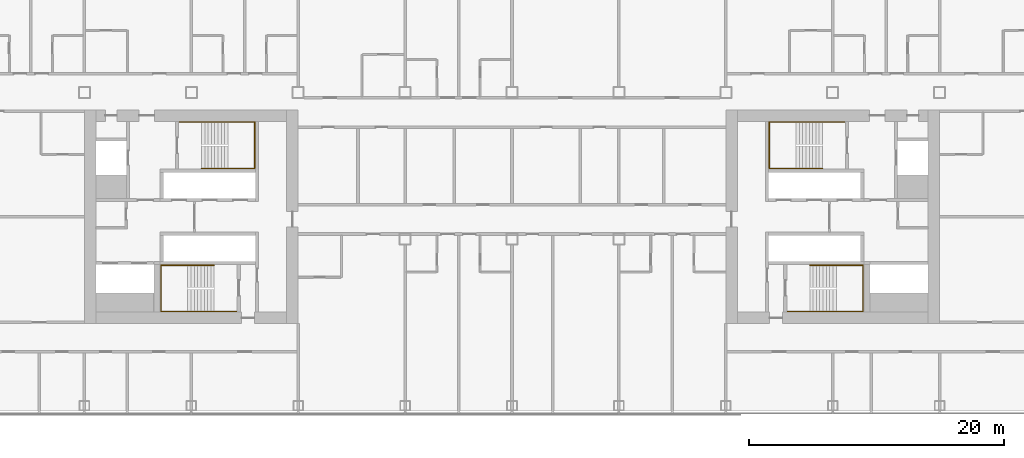
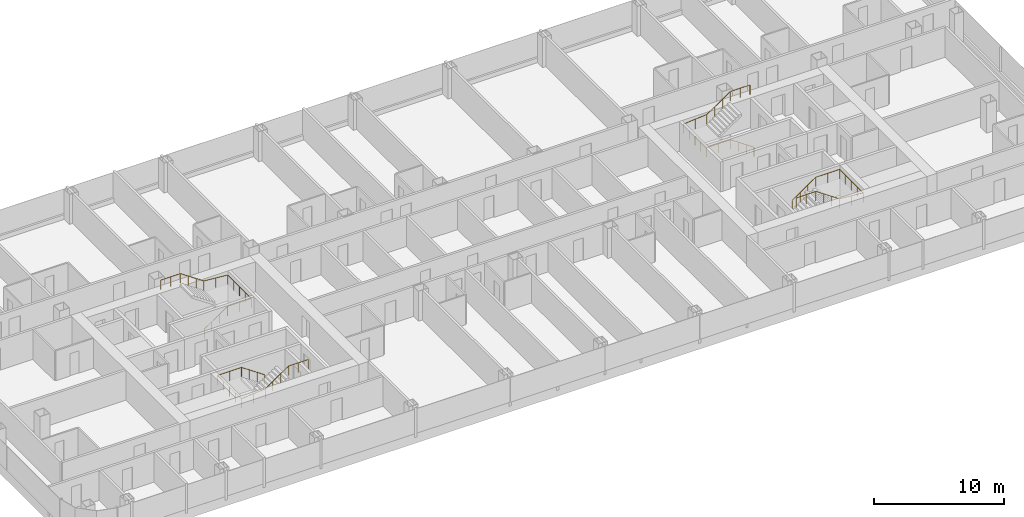
# One storey, part 29 of 29: 4 railings.
"""IFC4 building model written with IfcOpenShell, lengths in metres."""

import ifcopenshell
import ifcopenshell.guid

model = None  # the IFC model being written
_history = None  # IfcOwnerHistory: only IFC2X3 demands one
_inside = {}  # id of a spatial element -> (the spatial element, [elements in it])
_under = {}  # id of a project, library or spatial element -> (it, [spatial elements below it])
_declared = {}  # id of a project -> (the project, [libraries it declares])
_typed = {}  # id of a type object -> (the type object, [elements of that type])
_made_of = {}  # id of a material, layer set ... -> (it, [elements and type objects made of it])


def new_model(schema):
    """Start an empty IFC model of exactly this schema.

    Asked for "IFC4X3", IfcOpenShell would pick the latest addendum, in which some entities
    have other attributes; the version numbers below select the first issue.
    IFC2X3 requires an IfcOwnerHistory on every rooted entity: one is made here for all.
    """
    global model, _history
    if schema == "IFC4X3":
        model = ifcopenshell.file(schema_version=(4, 3, 0, 0))
    else:
        model = ifcopenshell.file(schema=schema)
    _inside.clear()
    _under.clear()
    _declared.clear()
    _typed.clear()
    _made_of.clear()
    _history = None
    if model.schema == "IFC2X3":
        org = make("IfcOrganization", Name="unknown")
        user = make(
            "IfcPersonAndOrganization",
            ThePerson=make("IfcPerson", FamilyName="unknown"),
            TheOrganization=org,
        )
        app = make(
            "IfcApplication",
            ApplicationDeveloper=org,
            Version="unknown",
            ApplicationFullName="unknown",
            ApplicationIdentifier="unknown",
        )
        _history = make(
            "IfcOwnerHistory",
            OwningUser=user,
            OwningApplication=app,
            ChangeAction="ADDED",
            CreationDate=0,
        )
    return model


def make(cls, **values):
    """One entity of the class cls with the attributes given. An attribute that is None is left unset."""
    return model.create_entity(
        cls, **{name: value for name, value in values.items() if value is not None}
    )


def rooted(cls, **values):
    """An entity with a GlobalId (a new one), such as an element, a storey or a relation."""
    return make(cls, GlobalId=ifcopenshell.guid.new(), OwnerHistory=_history, **values)


def si_unit(unit_type, name, prefix=None):
    """IfcSIUnit, for example si_unit("LENGTHUNIT", "METRE", prefix="MILLI")."""
    return make("IfcSIUnit", UnitType=unit_type, Prefix=prefix, Name=name)


def assignment(units):
    """IfcUnitAssignment: the units of a project."""
    return None if units is None else make("IfcUnitAssignment", Units=units)


def point(xyz):
    """IfcCartesianPoint."""
    return None if xyz is None else make("IfcCartesianPoint", Coordinates=xyz)


def direction(xyz):
    """IfcDirection."""
    return None if xyz is None else make("IfcDirection", DirectionRatios=xyz)


def frame(location, z_axis=None, x_axis=None):
    """IfcAxis2Placement3D, a coordinate frame: its origin and axes. An axis left out is left unset."""
    return make(
        "IfcAxis2Placement3D",
        Location=point(location),
        Axis=direction(z_axis),
        RefDirection=direction(x_axis),
    )


def frame_2d(location, x_axis=None):
    """IfcAxis2Placement2D, a coordinate frame in the plane: its origin and x axis."""
    return make(
        "IfcAxis2Placement2D", Location=point(location), RefDirection=direction(x_axis)
    )


def origin():
    """The frame at (0, 0, 0) with its axes left unset."""
    return frame((0.0, 0.0, 0.0))


def origin_2d():
    """The frame at (0, 0) in the plane with its x axis left unset."""
    return frame_2d((0.0, 0.0))


def place(relative_to, where):
    """IfcLocalPlacement: puts the frame where relative to a parent placement (None: the world)."""
    return make(
        "IfcLocalPlacement", PlacementRelTo=relative_to, RelativePlacement=where
    )


def context(
    kind, dimensions, precision=None, world=None, true_north=None, identifier=None
):
    """IfcGeometricRepresentationContext, for example the 3D "Model" context."""
    return make(
        "IfcGeometricRepresentationContext",
        ContextIdentifier=identifier,
        ContextType=kind,
        CoordinateSpaceDimension=dimensions,
        Precision=precision,
        WorldCoordinateSystem=world,
        TrueNorth=true_north,
    )


def subcontext(parent, identifier, kind, view, scale=None):
    """IfcGeometricRepresentationSubContext, for example "Body" below "Model"."""
    return make(
        "IfcGeometricRepresentationSubContext",
        ContextIdentifier=identifier,
        ContextType=kind,
        ParentContext=parent,
        TargetScale=scale,
        TargetView=view,
    )


def project(units=None, contexts=None):
    """IfcProject with its units and contexts."""
    return rooted(
        "IfcProject",
        Name="project",
        RepresentationContexts=contexts,
        UnitsInContext=assignment(units),
    )


def spatial(cls, under=None, at=None, **own):
    """A site, building, storey or space (cls), placed at a placement, below another one or the project."""
    s = rooted(cls, ObjectPlacement=at, **own)
    if under is not None:
        _under.setdefault(under.id(), (under, []))[1].append(s)
    return s


def profile(cls, at=None, kind="AREA", **sizes):
    """A parametric profile (cls). Its sizes go by their IFC names, for example OverallWidth=200.0."""
    return make(cls, ProfileType=kind, Position=at, **sizes)


def circle(**sizes):
    """IfcCircleProfileDef."""
    return profile("IfcCircleProfileDef", **sizes)


def extrude(swept, where, along, depth):
    """IfcExtrudedAreaSolid: the profile swept, set in the frame where, extruded along a direction by depth."""
    return make(
        "IfcExtrudedAreaSolid",
        SweptArea=swept,
        Position=where,
        ExtrudedDirection=direction(along),
        Depth=depth,
    )


def shape(context_of_items, identifier, shape_type, items):
    """IfcShapeRepresentation: the items that make up one representation, for example the "Body"."""
    return make(
        "IfcShapeRepresentation",
        ContextOfItems=context_of_items,
        RepresentationIdentifier=identifier,
        RepresentationType=shape_type,
        Items=items,
    )


def material(Name=None, Category=None):
    """IfcMaterial."""
    return make("IfcMaterial", Name=Name, Category=Category)


def made_of(thing, what):
    """Note that an element or type object is made of a material, layer set ...; save() writes the relation."""
    if what is not None:
        _made_of.setdefault(what.id(), (what, []))[1].append(thing)
    return thing


def type_object(cls, material=None, **own):
    """A type object (cls), such as IfcWallType, which elements share."""
    return made_of(rooted(cls, **own), material)


def element(
    cls,
    number,
    at=None,
    inside=None,
    cuts=None,
    type_object=None,
    material=None,
    context=None,
    identifier="Body",
    shape_type=None,
    held_by="IfcProductDefinitionShape",
    body=None,
    shapes=None,
    **own,
):
    """One element of the class cls, such as IfcWall. Its Tag is "e" and its number.

    at: its placement. inside: the storey or other place that contains it. cuts: it is an
    opening in that element (IfcRelVoidsElement). A single representation is given by context,
    identifier, shape_type and body (its items); several are given by shapes. held_by: the class
    of the entity that holds the representations. save() writes the other relations.
    """
    e = rooted(cls, Tag="e%d" % number, ObjectPlacement=at, **own)
    if body is not None:
        shapes = [shape(context, identifier, shape_type, body)]
    if shapes is not None:
        e.Representation = make(held_by, Representations=shapes)
    if inside is not None:
        _inside.setdefault(inside.id(), (inside, []))[1].append(e)
    if cuts is not None:
        rooted(
            "IfcRelVoidsElement", RelatingBuildingElement=cuts, RelatedOpeningElement=e
        )
    if type_object is not None:
        _typed.setdefault(type_object.id(), (type_object, []))[1].append(e)
    return made_of(e, material)


def aggregate(whole, parts):
    """IfcRelAggregates: a whole, such as a stair, and the parts it consists of."""
    return rooted("IfcRelAggregates", RelatingObject=whole, RelatedObjects=parts)


def save(model, path):
    """Write the relations noted so far, then the file.

    IfcRelAggregates (storeys below a building ...), IfcRelContainedInSpatialStructure (elements
    in a storey), IfcRelDefinesByType, IfcRelAssociatesMaterial and IfcRelDeclares: one each for
    every whole, place, type object, material and project.
    """
    for whole, parts in _under.values():
        aggregate(whole, parts)
    for where, things in _inside.values():
        rooted(
            "IfcRelContainedInSpatialStructure",
            RelatedElements=things,
            RelatingStructure=where,
        )
    for kind, things in _typed.values():
        rooted("IfcRelDefinesByType", RelatedObjects=things, RelatingType=kind)
    for what, things in _made_of.values():
        rooted("IfcRelAssociatesMaterial", RelatedObjects=things, RelatingMaterial=what)
    for by, libraries in _declared.values():
        rooted("IfcRelDeclares", RelatingContext=by, RelatedDefinitions=libraries)
    model.write(path)


model = new_model("IFC4")

# Units and contexts
model_context = context("Model", 3, precision=1e-05, world=origin(), true_north=direction((0.0, 1.0)))
body_context = subcontext(model_context, "Body", "Model", "MODEL_VIEW")
ifc_project = project(units=[si_unit("LENGTHUNIT", "METRE"), si_unit("AREAUNIT", "SQUARE_METRE"), si_unit("VOLUMEUNIT", "CUBIC_METRE"), si_unit("PLANEANGLEUNIT", "RADIAN"), si_unit("MASSUNIT", "GRAM", prefix="KILO")], contexts=[model_context])

# Site, building, storey
site_placement = place(None, origin())
site = spatial("IfcSite", under=ifc_project, at=site_placement, CompositionType="ELEMENT")
building_placement = place(site_placement, origin())
building = spatial("IfcBuilding", under=site, at=building_placement, Name="Hakoniwa Tower and Hamabe Station Hall", CompositionType="ELEMENT")
storey_placement = place(building_placement, frame((0.0, 0.0, 113.800048828125)))
storey = spatial("IfcBuildingStorey", under=building, at=storey_placement, Name="L32", CompositionType="ELEMENT", Elevation=113.800048828125)

# Railings
ifc_material = material(Name="Stainless steel SUS304", Category="steel")
railing_type = type_object("IfcRailingType", Name="STAIR HANDRAIL 900", PredefinedType="HANDRAIL", material=ifc_material)
railing_1_placement = place(storey_placement, frame((-24.39990234375, 3.81005859375, 0.177734375)))
element("IfcRailing", 1, at=railing_1_placement, inside=storey, type_object=railing_type, Name="Handrail ST-1 L32 1", PredefinedType="HANDRAIL", context=body_context, shape_type="SweptSolid", body=[
    extrude(circle(Radius=0.02392578125, at=origin_2d()), frame((0.0, 0.0, 0.8759765625), z_axis=(0.825478349766, 0.0, 0.564433781827), x_axis=(0.0, 1.0, 0.0)), (0.0, 0.0, 1.0), 2.51953125),
    extrude(circle(Radius=0.02392578125, at=origin_2d()), frame((2.079833984375, 0.0, 2.2978515625), z_axis=(1.0, 0.0, 0.0), x_axis=(0.0, 1.0, 0.0)), (0.0, 0.0, 1.0), 2.110107421875),
    extrude(circle(Radius=0.02392578125, at=origin_2d()), frame((4.18994140625, 0.0, 2.2978515625), z_axis=(0.0, 1.0, 0.0), x_axis=(-1.0, 0.0, 0.0)), (0.0, 0.0, 1.0), 3.6298828125),
    extrude(circle(Radius=0.02392578125, at=origin_2d()), frame((4.18994140625, 3.6298828125, 2.2978515625), z_axis=(-0.996461767938, 0.0, 0.084047278587), x_axis=(0.0, -1.0, 0.0)), (0.0, 0.0, 1.0), 2.11767578125),
    extrude(circle(Radius=0.02392578125, at=origin_2d()), frame((2.079833984375, 3.6298828125, 2.47607421875), z_axis=(-0.825478349766, 0.0, 0.564433781827), x_axis=(0.0, -1.0, 0.0)), (0.0, 0.0, 1.0), 2.51953125),
    extrude(circle(Radius=0.02392578125, at=origin_2d()), frame((0.0, 3.6298828125, 3.89794921875), z_axis=(-1.0, 0.0, 0.0), x_axis=(0.0, -1.0, 0.0)), (0.0, 0.0, 1.0), 1.739990234375),
    extrude(circle(Radius=0.02099609375, at=origin_2d()), origin(), (0.0, 0.0, 1.0), 0.851806640625),
    extrude(circle(Radius=0.02099609375, at=origin_2d()), frame((0.693359375, 0.0, 0.47412109375)), (0.0, 0.0, 1.0), 0.851806640625),
    extrude(circle(Radius=0.02099609375, at=origin_2d()), frame((1.386474609375, 0.0, 0.947998046875)), (0.0, 0.0, 1.0), 0.851806640625),
    extrude(circle(Radius=0.02099609375, at=origin_2d()), frame((2.079833984375, 0.0, 1.422119140625)), (0.0, 0.0, 1.0), 0.851806640625),
    extrude(circle(Radius=0.02099609375, at=origin_2d()), frame((3.134765625, 0.0, 1.422119140625)), (0.0, 0.0, 1.0), 0.851806640625),
    extrude(circle(Radius=0.02099609375, at=origin_2d()), frame((4.18994140625, 0.0, 1.422119140625)), (0.0, 0.0, 1.0), 0.851806640625),
    extrude(circle(Radius=0.02099609375, at=origin_2d()), frame((4.18994140625, 0.907470703125, 1.422119140625)), (0.0, 0.0, 1.0), 0.851806640625),
    extrude(circle(Radius=0.02099609375, at=origin_2d()), frame((4.18994140625, 1.81494140625, 1.422119140625)), (0.0, 0.0, 1.0), 0.851806640625),
    extrude(circle(Radius=0.02099609375, at=origin_2d()), frame((4.18994140625, 2.722412109375, 1.422119140625)), (0.0, 0.0, 1.0), 0.851806640625),
    extrude(circle(Radius=0.02099609375, at=origin_2d()), frame((4.18994140625, 3.6298828125, 1.422119140625)), (0.0, 0.0, 1.0), 0.851806640625),
    extrude(circle(Radius=0.02099609375, at=origin_2d()), frame((3.134765625, 3.6298828125, 1.51123046875)), (0.0, 0.0, 1.0), 0.851806640625),
    extrude(circle(Radius=0.02099609375, at=origin_2d()), frame((2.079833984375, 3.6298828125, 1.60009765625)), (0.0, 0.0, 1.0), 0.851806640625),
    extrude(circle(Radius=0.02099609375, at=origin_2d()), frame((1.386474609375, 3.6298828125, 2.07421875)), (0.0, 0.0, 1.0), 0.851806640625),
    extrude(circle(Radius=0.02099609375, at=origin_2d()), frame((0.693359375, 3.6298828125, 2.548095703125)), (0.0, 0.0, 1.0), 0.851806640625),
    extrude(circle(Radius=0.02099609375, at=origin_2d()), frame((0.0, 3.6298828125, 3.022216796875)), (0.0, 0.0, 1.0), 0.851806640625),
    extrude(circle(Radius=0.02099609375, at=origin_2d()), frame((-0.8701171875, 3.6298828125, 3.022216796875)), (0.0, 0.0, 1.0), 0.851806640625),
    extrude(circle(Radius=0.02099609375, at=origin_2d()), frame((-1.739990234375, 3.6298828125, 3.022216796875)), (0.0, 0.0, 1.0), 0.851806640625),
])
railing_2_placement = place(storey_placement, frame((-23.39990234375, -3.81005859375, 0.177734375)))
element("IfcRailing", 2, at=railing_2_placement, inside=storey, type_object=railing_type, Name="Handrail ST-2 L32 1", PredefinedType="HANDRAIL", context=body_context, shape_type="SweptSolid", body=[
    extrude(circle(Radius=0.02392578125, at=origin_2d()), frame((0.0, 0.0, 0.8759765625), z_axis=(-0.82550921652, 0.0, 0.564388636881), x_axis=(0.0, -1.0, 0.0)), (0.0, 0.0, 1.0), 2.519775390625),
    extrude(circle(Radius=0.02392578125, at=origin_2d()), frame((-2.080078125, 0.0, 2.2978515625), z_axis=(-1.0, 0.0, 0.0), x_axis=(0.0, -1.0, 0.0)), (0.0, 0.0, 1.0), 2.110107421875),
    extrude(circle(Radius=0.02392578125, at=origin_2d()), frame((-4.190185546875, 0.0, 2.2978515625), z_axis=(0.0, -1.0, 0.0), x_axis=(1.0, 0.0, 0.0)), (0.0, 0.0, 1.0), 3.6298828125),
    extrude(circle(Radius=0.02392578125, at=origin_2d()), frame((-4.190185546875, -3.6298828125, 2.2978515625), z_axis=(0.996461767938, 0.0, 0.084047278587), x_axis=(0.0, 1.0, 0.0)), (0.0, 0.0, 1.0), 2.11767578125),
    extrude(circle(Radius=0.02392578125, at=origin_2d()), frame((-2.080078125, -3.6298828125, 2.47607421875), z_axis=(0.82550921652, 0.0, 0.564388636881), x_axis=(0.0, 1.0, 0.0)), (0.0, 0.0, 1.0), 2.519775390625),
    extrude(circle(Radius=0.02392578125, at=origin_2d()), frame((0.0, -3.6298828125, 3.89794921875), z_axis=(1.0, 0.0, 0.0), x_axis=(0.0, 1.0, 0.0)), (0.0, 0.0, 1.0), 1.739990234375),
    extrude(circle(Radius=0.02099609375, at=origin_2d()), origin(), (0.0, 0.0, 1.0), 0.851806640625),
    extrude(circle(Radius=0.02099609375, at=origin_2d()), frame((-0.693359375, 0.0, 0.47412109375)), (0.0, 0.0, 1.0), 0.851806640625),
    extrude(circle(Radius=0.02099609375, at=origin_2d()), frame((-1.38671875, 0.0, 0.947998046875)), (0.0, 0.0, 1.0), 0.851806640625),
    extrude(circle(Radius=0.02099609375, at=origin_2d()), frame((-2.080078125, 0.0, 1.422119140625)), (0.0, 0.0, 1.0), 0.851806640625),
    extrude(circle(Radius=0.02099609375, at=origin_2d()), frame((-3.13525390625, 0.0, 1.422119140625)), (0.0, 0.0, 1.0), 0.851806640625),
    extrude(circle(Radius=0.02099609375, at=origin_2d()), frame((-4.190185546875, 0.0, 1.422119140625)), (0.0, 0.0, 1.0), 0.851806640625),
    extrude(circle(Radius=0.02099609375, at=origin_2d()), frame((-4.190185546875, -0.907470703125, 1.422119140625)), (0.0, 0.0, 1.0), 0.851806640625),
    extrude(circle(Radius=0.02099609375, at=origin_2d()), frame((-4.190185546875, -1.81494140625, 1.422119140625)), (0.0, 0.0, 1.0), 0.851806640625),
    extrude(circle(Radius=0.02099609375, at=origin_2d()), frame((-4.190185546875, -2.722412109375, 1.422119140625)), (0.0, 0.0, 1.0), 0.851806640625),
    extrude(circle(Radius=0.02099609375, at=origin_2d()), frame((-4.190185546875, -3.6298828125, 1.422119140625)), (0.0, 0.0, 1.0), 0.851806640625),
    extrude(circle(Radius=0.02099609375, at=origin_2d()), frame((-3.13525390625, -3.6298828125, 1.51123046875)), (0.0, 0.0, 1.0), 0.851806640625),
    extrude(circle(Radius=0.02099609375, at=origin_2d()), frame((-2.080078125, -3.6298828125, 1.60009765625)), (0.0, 0.0, 1.0), 0.851806640625),
    extrude(circle(Radius=0.02099609375, at=origin_2d()), frame((-1.38671875, -3.6298828125, 2.07421875)), (0.0, 0.0, 1.0), 0.851806640625),
    extrude(circle(Radius=0.02099609375, at=origin_2d()), frame((-0.693359375, -3.6298828125, 2.548095703125)), (0.0, 0.0, 1.0), 0.851806640625),
    extrude(circle(Radius=0.02099609375, at=origin_2d()), frame((0.0, -3.6298828125, 3.022216796875)), (0.0, 0.0, 1.0), 0.851806640625),
    extrude(circle(Radius=0.02099609375, at=origin_2d()), frame((0.8701171875, -3.6298828125, 3.022216796875)), (0.0, 0.0, 1.0), 0.851806640625),
    extrude(circle(Radius=0.02099609375, at=origin_2d()), frame((1.739990234375, -3.6298828125, 3.022216796875)), (0.0, 0.0, 1.0), 0.851806640625),
])
railing_3_placement = place(storey_placement, frame((24.39990234375, 3.81005859375, 0.177734375)))
element("IfcRailing", 3, at=railing_3_placement, inside=storey, type_object=railing_type, Name="Handrail ST-3 L32 1", PredefinedType="HANDRAIL", context=body_context, shape_type="SweptSolid", body=[
    extrude(circle(Radius=0.02392578125, at=origin_2d()), frame((0.0, 0.0, 0.8759765625), z_axis=(-0.825478349766, 0.0, 0.564433781827), x_axis=(0.0, -1.0, 0.0)), (0.0, 0.0, 1.0), 2.51953125),
    extrude(circle(Radius=0.02392578125, at=origin_2d()), frame((-2.079833984375, 0.0, 2.2978515625), z_axis=(-1.0, 0.0, 0.0), x_axis=(0.0, -1.0, 0.0)), (0.0, 0.0, 1.0), 2.110107421875),
    extrude(circle(Radius=0.02392578125, at=origin_2d()), frame((-4.18994140625, 0.0, 2.2978515625), z_axis=(0.0, 1.0, 0.0), x_axis=(-1.0, 0.0, 0.0)), (0.0, 0.0, 1.0), 3.6298828125),
    extrude(circle(Radius=0.02392578125, at=origin_2d()), frame((-4.18994140625, 3.6298828125, 2.2978515625), z_axis=(0.996461767938, 0.0, 0.084047278587), x_axis=(0.0, 1.0, 0.0)), (0.0, 0.0, 1.0), 2.11767578125),
    extrude(circle(Radius=0.02392578125, at=origin_2d()), frame((-2.079833984375, 3.6298828125, 2.47607421875), z_axis=(0.825478349766, 0.0, 0.564433781827), x_axis=(0.0, 1.0, 0.0)), (0.0, 0.0, 1.0), 2.51953125),
    extrude(circle(Radius=0.02392578125, at=origin_2d()), frame((0.0, 3.6298828125, 3.89794921875), z_axis=(1.0, 0.0, 0.0), x_axis=(0.0, 1.0, 0.0)), (0.0, 0.0, 1.0), 1.739990234375),
    extrude(circle(Radius=0.02099609375, at=origin_2d()), origin(), (0.0, 0.0, 1.0), 0.851806640625),
    extrude(circle(Radius=0.02099609375, at=origin_2d()), frame((-0.693359375, 0.0, 0.47412109375)), (0.0, 0.0, 1.0), 0.851806640625),
    extrude(circle(Radius=0.02099609375, at=origin_2d()), frame((-1.386474609375, 0.0, 0.947998046875)), (0.0, 0.0, 1.0), 0.851806640625),
    extrude(circle(Radius=0.02099609375, at=origin_2d()), frame((-2.079833984375, 0.0, 1.422119140625)), (0.0, 0.0, 1.0), 0.851806640625),
    extrude(circle(Radius=0.02099609375, at=origin_2d()), frame((-3.134765625, 0.0, 1.422119140625)), (0.0, 0.0, 1.0), 0.851806640625),
    extrude(circle(Radius=0.02099609375, at=origin_2d()), frame((-4.18994140625, 0.0, 1.422119140625)), (0.0, 0.0, 1.0), 0.851806640625),
    extrude(circle(Radius=0.02099609375, at=origin_2d()), frame((-4.18994140625, 0.907470703125, 1.422119140625)), (0.0, 0.0, 1.0), 0.851806640625),
    extrude(circle(Radius=0.02099609375, at=origin_2d()), frame((-4.18994140625, 1.81494140625, 1.422119140625)), (0.0, 0.0, 1.0), 0.851806640625),
    extrude(circle(Radius=0.02099609375, at=origin_2d()), frame((-4.18994140625, 2.722412109375, 1.422119140625)), (0.0, 0.0, 1.0), 0.851806640625),
    extrude(circle(Radius=0.02099609375, at=origin_2d()), frame((-4.18994140625, 3.6298828125, 1.422119140625)), (0.0, 0.0, 1.0), 0.851806640625),
    extrude(circle(Radius=0.02099609375, at=origin_2d()), frame((-3.134765625, 3.6298828125, 1.51123046875)), (0.0, 0.0, 1.0), 0.851806640625),
    extrude(circle(Radius=0.02099609375, at=origin_2d()), frame((-2.079833984375, 3.6298828125, 1.60009765625)), (0.0, 0.0, 1.0), 0.851806640625),
    extrude(circle(Radius=0.02099609375, at=origin_2d()), frame((-1.386474609375, 3.6298828125, 2.07421875)), (0.0, 0.0, 1.0), 0.851806640625),
    extrude(circle(Radius=0.02099609375, at=origin_2d()), frame((-0.693359375, 3.6298828125, 2.548095703125)), (0.0, 0.0, 1.0), 0.851806640625),
    extrude(circle(Radius=0.02099609375, at=origin_2d()), frame((0.0, 3.6298828125, 3.022216796875)), (0.0, 0.0, 1.0), 0.851806640625),
    extrude(circle(Radius=0.02099609375, at=origin_2d()), frame((0.8701171875, 3.6298828125, 3.022216796875)), (0.0, 0.0, 1.0), 0.851806640625),
    extrude(circle(Radius=0.02099609375, at=origin_2d()), frame((1.739990234375, 3.6298828125, 3.022216796875)), (0.0, 0.0, 1.0), 0.851806640625),
])
railing_4_placement = place(storey_placement, frame((23.39990234375, -3.81005859375, 0.177734375)))
element("IfcRailing", 4, at=railing_4_placement, inside=storey, type_object=railing_type, Name="Handrail ST-4 L32 1", PredefinedType="HANDRAIL", context=body_context, shape_type="SweptSolid", body=[
    extrude(circle(Radius=0.02392578125, at=origin_2d()), frame((0.0, 0.0, 0.8759765625), z_axis=(0.82550921652, 0.0, 0.564388636881), x_axis=(0.0, 1.0, 0.0)), (0.0, 0.0, 1.0), 2.519775390625),
    extrude(circle(Radius=0.02392578125, at=origin_2d()), frame((2.080078125, 0.0, 2.2978515625), z_axis=(1.0, 0.0, 0.0), x_axis=(0.0, 1.0, 0.0)), (0.0, 0.0, 1.0), 2.110107421875),
    extrude(circle(Radius=0.02392578125, at=origin_2d()), frame((4.190185546875, 0.0, 2.2978515625), z_axis=(0.0, -1.0, 0.0), x_axis=(1.0, 0.0, 0.0)), (0.0, 0.0, 1.0), 3.6298828125),
    extrude(circle(Radius=0.02392578125, at=origin_2d()), frame((4.190185546875, -3.6298828125, 2.2978515625), z_axis=(-0.996461767938, 0.0, 0.084047278587), x_axis=(0.0, -1.0, 0.0)), (0.0, 0.0, 1.0), 2.11767578125),
    extrude(circle(Radius=0.02392578125, at=origin_2d()), frame((2.080078125, -3.6298828125, 2.47607421875), z_axis=(-0.82550921652, 0.0, 0.564388636881), x_axis=(0.0, -1.0, 0.0)), (0.0, 0.0, 1.0), 2.519775390625),
    extrude(circle(Radius=0.02392578125, at=origin_2d()), frame((0.0, -3.6298828125, 3.89794921875), z_axis=(-1.0, 0.0, 0.0), x_axis=(0.0, -1.0, 0.0)), (0.0, 0.0, 1.0), 1.739990234375),
    extrude(circle(Radius=0.02099609375, at=origin_2d()), origin(), (0.0, 0.0, 1.0), 0.851806640625),
    extrude(circle(Radius=0.02099609375, at=origin_2d()), frame((0.693359375, 0.0, 0.47412109375)), (0.0, 0.0, 1.0), 0.851806640625),
    extrude(circle(Radius=0.02099609375, at=origin_2d()), frame((1.38671875, 0.0, 0.947998046875)), (0.0, 0.0, 1.0), 0.851806640625),
    extrude(circle(Radius=0.02099609375, at=origin_2d()), frame((2.080078125, 0.0, 1.422119140625)), (0.0, 0.0, 1.0), 0.851806640625),
    extrude(circle(Radius=0.02099609375, at=origin_2d()), frame((3.13525390625, 0.0, 1.422119140625)), (0.0, 0.0, 1.0), 0.851806640625),
    extrude(circle(Radius=0.02099609375, at=origin_2d()), frame((4.190185546875, 0.0, 1.422119140625)), (0.0, 0.0, 1.0), 0.851806640625),
    extrude(circle(Radius=0.02099609375, at=origin_2d()), frame((4.190185546875, -0.907470703125, 1.422119140625)), (0.0, 0.0, 1.0), 0.851806640625),
    extrude(circle(Radius=0.02099609375, at=origin_2d()), frame((4.190185546875, -1.81494140625, 1.422119140625)), (0.0, 0.0, 1.0), 0.851806640625),
    extrude(circle(Radius=0.02099609375, at=origin_2d()), frame((4.190185546875, -2.722412109375, 1.422119140625)), (0.0, 0.0, 1.0), 0.851806640625),
    extrude(circle(Radius=0.02099609375, at=origin_2d()), frame((4.190185546875, -3.6298828125, 1.422119140625)), (0.0, 0.0, 1.0), 0.851806640625),
    extrude(circle(Radius=0.02099609375, at=origin_2d()), frame((3.13525390625, -3.6298828125, 1.51123046875)), (0.0, 0.0, 1.0), 0.851806640625),
    extrude(circle(Radius=0.02099609375, at=origin_2d()), frame((2.080078125, -3.6298828125, 1.60009765625)), (0.0, 0.0, 1.0), 0.851806640625),
    extrude(circle(Radius=0.02099609375, at=origin_2d()), frame((1.38671875, -3.6298828125, 2.07421875)), (0.0, 0.0, 1.0), 0.851806640625),
    extrude(circle(Radius=0.02099609375, at=origin_2d()), frame((0.693359375, -3.6298828125, 2.548095703125)), (0.0, 0.0, 1.0), 0.851806640625),
    extrude(circle(Radius=0.02099609375, at=origin_2d()), frame((0.0, -3.6298828125, 3.022216796875)), (0.0, 0.0, 1.0), 0.851806640625),
    extrude(circle(Radius=0.02099609375, at=origin_2d()), frame((-0.8701171875, -3.6298828125, 3.022216796875)), (0.0, 0.0, 1.0), 0.851806640625),
    extrude(circle(Radius=0.02099609375, at=origin_2d()), frame((-1.739990234375, -3.6298828125, 3.022216796875)), (0.0, 0.0, 1.0), 0.851806640625),
])

save(model, "model.ifc")
